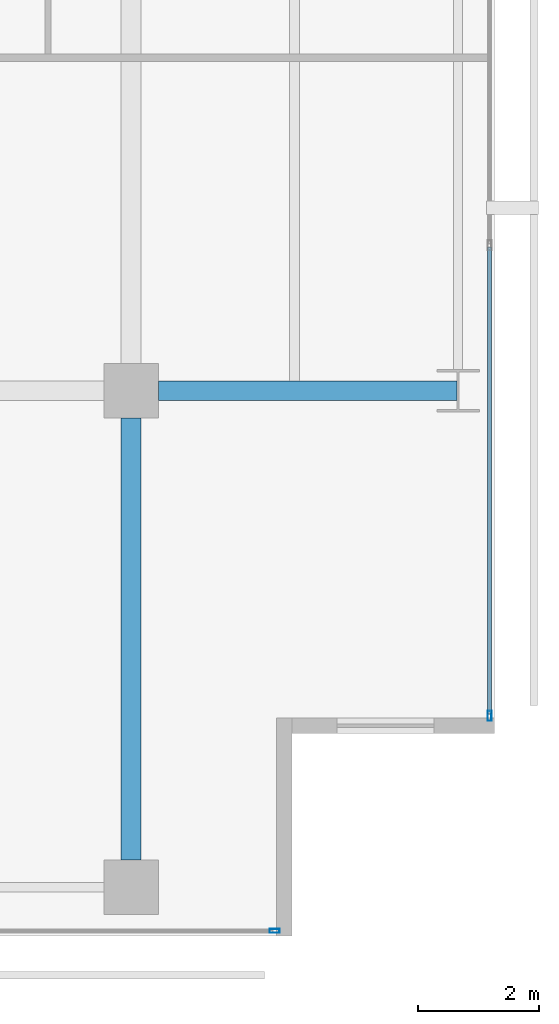
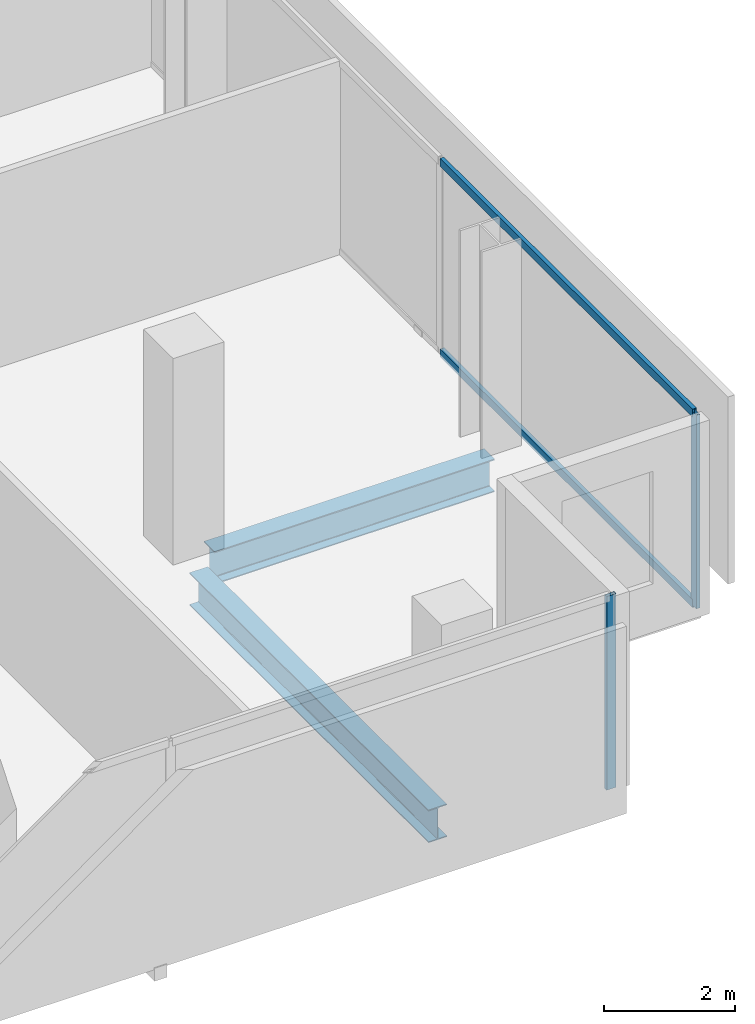
# One storey, part 16 of 40: 4 members, 2 beams, 2 elements without a shape of their own.
"""IFC4 building model written with IfcOpenShell, lengths in metres."""

from ifc_helpers import new_model, si_unit, direction, frame, origin, origin_2d, place, context, subcontext, project, spatial, hollow_rectangle, i_section, extrude, material, layer, layer_set, material_profile, profile_set, type_object, element, aggregate, save


model = new_model("IFC4")

# Units and contexts
model_context = context("Model", 3, precision=1e-05, world=origin(), true_north=direction((0.0, 1.0)))
body_context = subcontext(model_context, "Body", "Model", "MODEL_VIEW")
ifc_project = project(units=[si_unit("LENGTHUNIT", "METRE"), si_unit("AREAUNIT", "SQUARE_METRE"), si_unit("VOLUMEUNIT", "CUBIC_METRE"), si_unit("PLANEANGLEUNIT", "RADIAN"), si_unit("MASSUNIT", "GRAM", prefix="KILO")], contexts=[model_context])

# Site, building, storey
site_placement = place(None, origin())
site = spatial("IfcSite", under=ifc_project, at=site_placement, CompositionType="ELEMENT")
building_placement = place(site_placement, origin())
building = spatial("IfcBuilding", under=site, at=building_placement, Name="Maruvema Waterfront Hotel and Observation Tower", CompositionType="ELEMENT")
storey_placement = place(building_placement, frame((0.0, 0.0, 96.25)))
storey = spatial("IfcBuildingStorey", under=building, at=storey_placement, Name="L23", CompositionType="ELEMENT", Elevation=96.25)

# Curtain wall, members
ifc_material_1 = material(Name="Anodised bronze aluminium and solar-control low-E IGU", Category="aluminium")
ifc_layer = layer(ifc_material_1, 0.159912109375, Name="Zone 1 Bronze Inner Thermal Curtain Wall System CW-02")
ifc_layer_set = layer_set([ifc_layer], Name="Anodised bronze aluminium and solar-control low-E IGU")
curtain_wall_type = type_object("IfcCurtainWallType", Name="Zone 1 Bronze Inner Thermal Curtain Wall System CW-02", PredefinedType="USERDEFINED", material=ifc_layer_set)
curtain_wall_1_placement = place(storey_placement, origin())
curtain_wall_1 = element("IfcCurtainWall", 1, at=curtain_wall_1_placement, inside=storey, type_object=curtain_wall_type, Name="L23 Curtain Wall CW-L23-E", ObjectType="UNITISED CURTAIN WALL", PredefinedType="USERDEFINED")
ifc_material_2 = material(Name="Anodised architectural bronze aluminium", Category="aluminium")
ifc_material_profile_1 = material_profile(ifc_material_2, hollow_rectangle(XDim=0.070068359375, YDim=0.14990234375, WallThickness=0.00390625, at=origin_2d()), Name="ALU-T70x150")
ifc_profile_set_1 = profile_set([ifc_material_profile_1], Name="Anodised architectural bronze aluminium")
member_type_1 = type_object("IfcMemberType", Name="Curtain Wall Horizontal Transom ALU-T70x150", PredefinedType="USERDEFINED", material=ifc_profile_set_1)
member_1_placement = place(storey_placement, frame((64.719970703125, 3.659912109375, 0.030029296875), z_axis=(0.0, 1.0, 0.0), x_axis=(-1.0, 0.0, 0.0)))
member_1 = element("IfcMember", 2, at=member_1_placement, type_object=member_type_1, Name="CW-02 transom 1.1", ObjectType="TRANSOM", PredefinedType="USERDEFINED", context=body_context, shape_type="SweptSolid", body=[
    extrude(hollow_rectangle(XDim=0.070068359375, YDim=0.14990234375, WallThickness=0.00390625, at=origin_2d()), origin(), (0.0, 0.0, 1.0), 7.710205078125),
])
member_2_placement = place(storey_placement, frame((64.719970703125, 3.659912109375, 3.580078125), z_axis=(0.0, 1.0, 0.0), x_axis=(-1.0, 0.0, 0.0)))
member_2 = element("IfcMember", 3, at=member_2_placement, type_object=member_type_1, Name="CW-02 transom 1.2", ObjectType="TRANSOM", PredefinedType="USERDEFINED", context=body_context, shape_type="SweptSolid", body=[
    extrude(hollow_rectangle(XDim=0.070068359375, YDim=0.14990234375, WallThickness=0.00390625, at=origin_2d()), origin(), (0.0, 0.0, 1.0), 7.710205078125),
])

# Curtain wall, member
curtain_wall_2_placement = place(storey_placement, origin())
curtain_wall_2 = element("IfcCurtainWall", 4, at=curtain_wall_2_placement, inside=storey, type_object=curtain_wall_type, Name="L23 Curtain Wall CW-L23-S", ObjectType="UNITISED CURTAIN WALL", PredefinedType="USERDEFINED")
ifc_material_3 = material(Name="Anodised architectural bronze aluminium", Category="aluminium")
ifc_material_profile_2 = material_profile(ifc_material_3, hollow_rectangle(XDim=0.06494140625, YDim=0.1650390625, WallThickness=0.00390625, at=origin_2d()), Name="ALU-M65x165")
ifc_profile_set_2 = profile_set([ifc_material_profile_2], Name="Anodised architectural bronze aluminium")
member_type_2 = type_object("IfcMemberType", Name="Curtain Wall Primary Mullion ALU-M65x165", PredefinedType="MULLION", material=ifc_profile_set_2)
member_3_placement = place(storey_placement, frame((61.169921875, 0.080078125, 0.0), z_axis=(0.0, 0.0, 1.0), x_axis=(0.0, 1.0, 0.0)))
member_3 = element("IfcMember", 5, at=member_3_placement, type_object=member_type_2, Name="CW-02 mullion 7", PredefinedType="MULLION", context=body_context, shape_type="SweptSolid", body=[
    extrude(hollow_rectangle(XDim=0.06494140625, YDim=0.1650390625, WallThickness=0.00390625, at=origin_2d()), origin(), (0.0, 0.0, 1.0), 3.610107421875),
])
aggregate(curtain_wall_2, [member_3])

# Member
member_4_placement = place(storey_placement, frame((64.719970703125, 3.6298828125, 0.0), z_axis=(0.0, 0.0, 1.0), x_axis=(-1.0, 0.0, 0.0)))
member_4 = element("IfcMember", 6, at=member_4_placement, type_object=member_type_2, Name="CW-02 mullion 1", PredefinedType="MULLION", context=body_context, shape_type="SweptSolid", body=[
    extrude(hollow_rectangle(XDim=0.06494140625, YDim=0.1650390625, WallThickness=0.00390625, at=origin_2d()), origin(), (0.0, 0.0, 1.0), 3.610107421875),
])

aggregate(curtain_wall_1, [member_4, member_1, member_2])

# Beams
ifc_material_4 = material(Name="Steel ASTM A572 Grade 50", Category="steel")
ifc_material_profile_3 = material_profile(ifc_material_4, i_section(OverallWidth=0.323974609375, OverallDepth=0.611083984375, WebThickness=0.0126953125, FlangeThickness=0.01904296875, FilletRadius=0.01806640625, at=origin_2d()), Name="W610x155.0")
ifc_profile_set_3 = profile_set([ifc_material_profile_3], Name="Steel ASTM A572 Grade 50")
beam_type = type_object("IfcBeamType", Name="Primary Floor Girder W610x155.0", PredefinedType="BEAM", material=ifc_profile_set_3)
beam_1_placement = place(storey_placement, frame((59.25, 9.0, -0.54541015625), z_axis=(1.0, 0.0, 0.0), x_axis=(0.0, 1.0, 0.0)))
element("IfcBeam", 7, at=beam_1_placement, inside=storey, type_object=beam_type, Name="L23 Floor Girder EW-12", PredefinedType="BEAM", context=body_context, shape_type="SweptSolid", body=[
    extrude(i_section(OverallWidth=0.323974609375, OverallDepth=0.611083984375, WebThickness=0.0126953125, FlangeThickness=0.01904296875, FilletRadius=0.01806640625, at=origin_2d()), origin(), (0.0, 0.0, 1.0), 4.93603515625),
])
beam_2_placement = place(storey_placement, frame((58.800048828125, 1.25, -0.54541015625), z_axis=(0.0, 1.0, 0.0), x_axis=(-1.0, 0.0, 0.0)))
element("IfcBeam", 8, at=beam_2_placement, inside=storey, type_object=beam_type, Name="L23 Floor Girder NS-27", PredefinedType="BEAM", context=body_context, shape_type="SweptSolid", body=[
    extrude(i_section(OverallWidth=0.323974609375, OverallDepth=0.611083984375, WebThickness=0.0126953125, FlangeThickness=0.01904296875, FilletRadius=0.01806640625, at=origin_2d()), origin(), (0.0, 0.0, 1.0), 7.300048828125),
])

save(model, "model.ifc")
